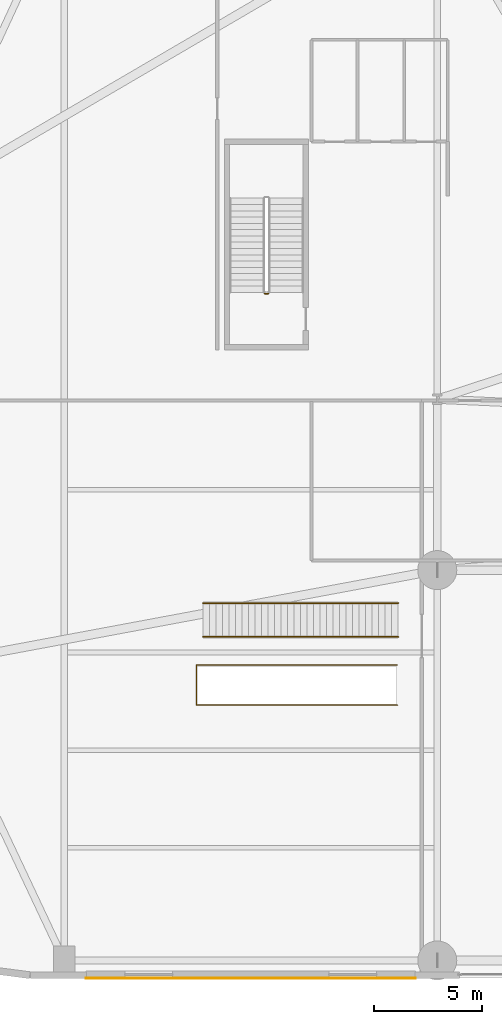
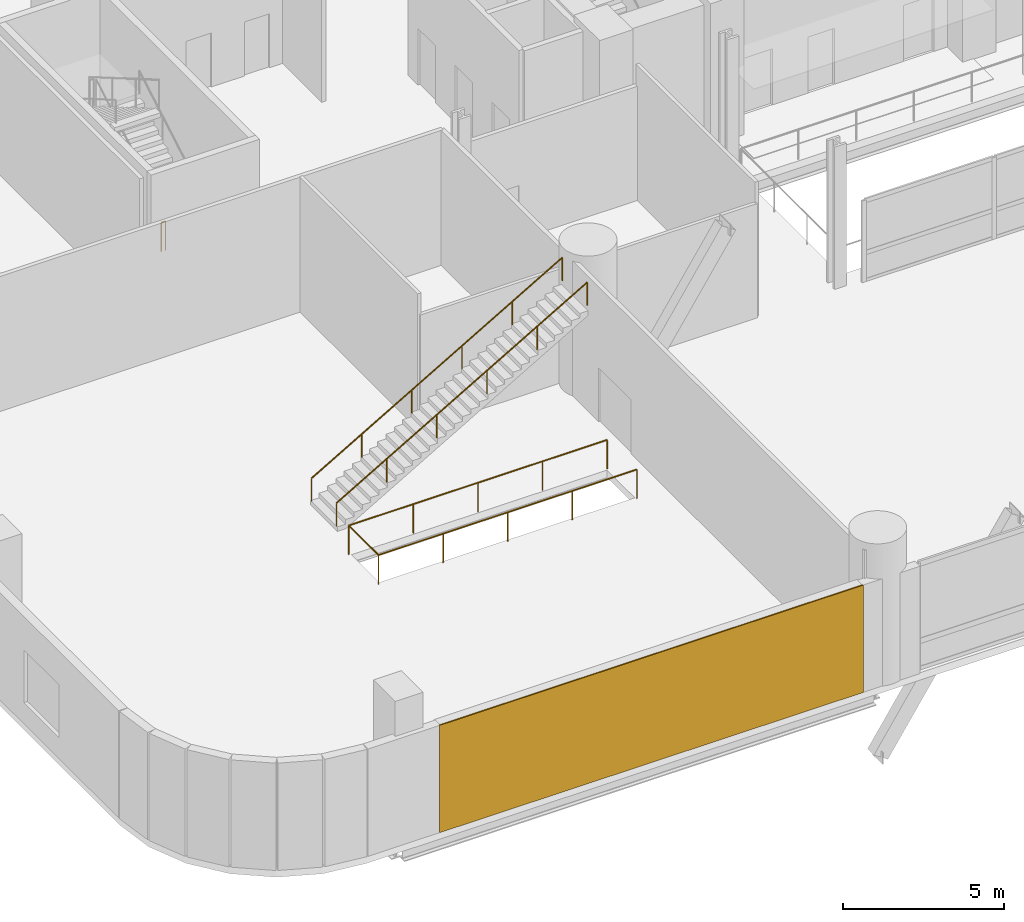
# One storey, part 34 of 40: 4 railings, 1 covering.
"""IFC4 building model written with IfcOpenShell, lengths in metres."""

from ifc_helpers import new_model, si_unit, direction, frame, origin, origin_2d, place, context, subcontext, project, spatial, rectangle, circle, extrude, source, transform, mapped, material, layer, layer_set, type_object, element, save


model = new_model("IFC4")

# Units and contexts
model_context = context("Model", 3, precision=1e-05, world=origin(), true_north=direction((0.0, 1.0)))
body_context = subcontext(model_context, "Body", "Model", "MODEL_VIEW")
ifc_project = project(units=[si_unit("LENGTHUNIT", "METRE"), si_unit("AREAUNIT", "SQUARE_METRE"), si_unit("VOLUMEUNIT", "CUBIC_METRE"), si_unit("PLANEANGLEUNIT", "RADIAN"), si_unit("MASSUNIT", "GRAM", prefix="KILO")], contexts=[model_context])

# Site, building, storey
site_placement = place(None, origin())
site = spatial("IfcSite", under=ifc_project, at=site_placement, CompositionType="ELEMENT")
building_placement = place(site_placement, origin())
building = spatial("IfcBuilding", under=site, at=building_placement, Name="Varnelok Gate Tower", CompositionType="ELEMENT")
storey_placement = place(building_placement, frame((0.0, 0.0, 5.39990234375)))
storey = spatial("IfcBuildingStorey", under=building, at=storey_placement, Name="L01", CompositionType="ELEMENT", Elevation=5.39990234375)

# Railings
ifc_material_1 = material(Name="Brushed Stainless Steel AISI 316", Category="steel")
railing_type_1 = type_object("IfcRailingType", Name="RL-HANDRAIL-900", PredefinedType="HANDRAIL", material=ifc_material_1)
for number, where, name in (
    (1, (13.60009765625, 15.72509765625, 0.17431640625), "ST-4-L01W Handrail L"),
    (2, (13.60009765625, 17.27490234375, 0.17431640625), "ST-4-L01W Handrail R"),
):
    element("IfcRailing", number, at=place(storey_placement, frame(where)), inside=storey, type_object=railing_type_1, Name=name, PredefinedType="HANDRAIL", context=body_context, shape_type="SweptSolid", body=[
        extrude(circle(Radius=0.02392578125, at=origin_2d()), frame((0.0, 0.0, 0.8759765625), z_axis=(0.864787960788, 0.0, 0.502137215187), x_axis=(0.0, 1.0, 0.0)), (0.0, 0.0, 1.0), 10.4072265625),
        extrude(circle(Radius=0.02099609375, at=origin_2d()), origin(), (0.0, 0.0, 1.0), 0.851806640625),
        extrude(circle(Radius=0.02099609375, at=origin_2d()), frame((1.800048828125, 0.0, 1.045166015625)), (0.0, 0.0, 1.0), 0.851806640625),
        extrude(circle(Radius=0.02099609375, at=origin_2d()), frame((3.60009765625, 0.0, 2.09033203125)), (0.0, 0.0, 1.0), 0.851806640625),
        extrude(circle(Radius=0.02099609375, at=origin_2d()), frame((5.39990234375, 0.0, 3.135498046875)), (0.0, 0.0, 1.0), 0.851806640625),
        extrude(circle(Radius=0.02099609375, at=origin_2d()), frame((7.199951171875, 0.0, 4.1806640625)), (0.0, 0.0, 1.0), 0.851806640625),
        extrude(circle(Radius=0.02099609375, at=origin_2d()), frame((9.0, 0.0, 5.225830078125)), (0.0, 0.0, 1.0), 0.851806640625),
    ])
ifc_material_2 = material(Name="Galvanized Steel Grade S350GD", Category="steel")
railing_type_2 = type_object("IfcRailingType", Name="RL-STAIR-GUARD1120", PredefinedType="GUARDRAIL", material=ifc_material_2)
railing_1_placement = place(storey_placement, frame((16.60009765625, 31.550048828125, 0.0)))
element("IfcRailing", 3, at=railing_1_placement, inside=storey, type_object=railing_type_2, Name="L01 ST-3 stair guard 4", PredefinedType="GUARDRAIL", context=body_context, shape_type="SweptSolid", body=[
    extrude(circle(Radius=0.02392578125, at=origin_2d()), frame((0.0, 0.0, 1.09619140625), z_axis=(-1.0, 0.0, 0.0), x_axis=(0.0, -1.0, 0.0)), (0.0, 0.0, 1.0), 0.150146484375),
    extrude(circle(Radius=0.02099609375, at=origin_2d()), origin(), (0.0, 0.0, 1.0), 1.072021484375),
    extrude(circle(Radius=0.02099609375, at=origin_2d()), frame((-0.150146484375, 0.0, 0.0)), (0.0, 0.0, 1.0), 1.072021484375),
])
railing_2_placement = place(storey_placement, frame((22.56005859375, 12.574951171875, 0.0)))
element("IfcRailing", 4, at=railing_2_placement, inside=storey, type_object=railing_type_2, Name="L01 Stair ST-4 Well Guardrail", PredefinedType="GUARDRAIL", context=body_context, shape_type="SweptSolid", body=[
    extrude(circle(Radius=0.02392578125, at=origin_2d()), frame((0.0, 0.0, 1.09619140625), z_axis=(-1.0, 0.0, 0.0), x_axis=(0.0, -1.0, 0.0)), (0.0, 0.0, 1.0), 9.27001953125),
    extrude(circle(Radius=0.02392578125, at=origin_2d()), frame((-9.27001953125, 0.0, 1.09619140625), z_axis=(0.0, 1.0, 0.0), x_axis=(-1.0, 0.0, 0.0)), (0.0, 0.0, 1.0), 1.85009765625),
    extrude(circle(Radius=0.02392578125, at=origin_2d()), frame((-9.27001953125, 1.85009765625, 1.09619140625), z_axis=(1.0, 0.0, 0.0), x_axis=(0.0, 1.0, 0.0)), (0.0, 0.0, 1.0), 9.27001953125),
    extrude(circle(Radius=0.02099609375, at=origin_2d()), origin(), (0.0, 0.0, 1.0), 1.072021484375),
    extrude(circle(Radius=0.02099609375, at=origin_2d()), frame((-2.3173828125, 0.0, 0.0)), (0.0, 0.0, 1.0), 1.072021484375),
    extrude(circle(Radius=0.02099609375, at=origin_2d()), frame((-4.635009765625, 0.0, 0.0)), (0.0, 0.0, 1.0), 1.072021484375),
    extrude(circle(Radius=0.02099609375, at=origin_2d()), frame((-6.95263671875, 0.0, 0.0)), (0.0, 0.0, 1.0), 1.072021484375),
    extrude(circle(Radius=0.02099609375, at=origin_2d()), frame((-9.27001953125, 0.0, 0.0)), (0.0, 0.0, 1.0), 1.072021484375),
    extrude(circle(Radius=0.02099609375, at=origin_2d()), frame((-9.27001953125, 1.85009765625, 0.0)), (0.0, 0.0, 1.0), 1.072021484375),
    extrude(circle(Radius=0.02099609375, at=origin_2d()), frame((-6.95263671875, 1.85009765625, 0.0)), (0.0, 0.0, 1.0), 1.072021484375),
    extrude(circle(Radius=0.02099609375, at=origin_2d()), frame((-4.635009765625, 1.85009765625, 0.0)), (0.0, 0.0, 1.0), 1.072021484375),
    extrude(circle(Radius=0.02099609375, at=origin_2d()), frame((-2.3173828125, 1.85009765625, 0.0)), (0.0, 0.0, 1.0), 1.072021484375),
    extrude(circle(Radius=0.02099609375, at=origin_2d()), frame((0.0, 1.85009765625, 0.0)), (0.0, 0.0, 1.0), 1.072021484375),
])

# Covering
ifc_material_3 = material(Name="Glazed Architectural Terracotta Ceramic", Category="masonry")
ifc_layer = layer(ifc_material_3, 0.044921875)
ifc_layer_set = layer_set([ifc_layer], Name="Glazed Architectural Terracotta Ceramic")
covering_type = type_object("IfcCoveringType", Name="COV-TERRA-CLAD", PredefinedType="CLADDING", material=ifc_layer_set)
shared_shape = source(origin(), body_context, "Body", "SweptSolid", [
    extrude(rectangle(XDim=15.199951171875, YDim=0.044921875, at=origin_2d()), origin(), (0.0, 0.0, 1.0), 4.070068359375),
])
covering_placement = place(storey_placement, frame((15.800048828125, -0.02197265625, 0.0), z_axis=(0.0, 0.0, 1.0), x_axis=(1.0, 0.0, 0.0)))
element("IfcCovering", 5, at=covering_placement, inside=storey, type_object=covering_type, Name="L01 Terracotta Arch Rainscreen Cladding S1", PredefinedType="CLADDING", context=body_context, shape_type="MappedRepresentation", body=[
    mapped(shared_shape, transform((0.0, 0.0, 0.0), scale=1.0)),
])

save(model, "model.ifc")
